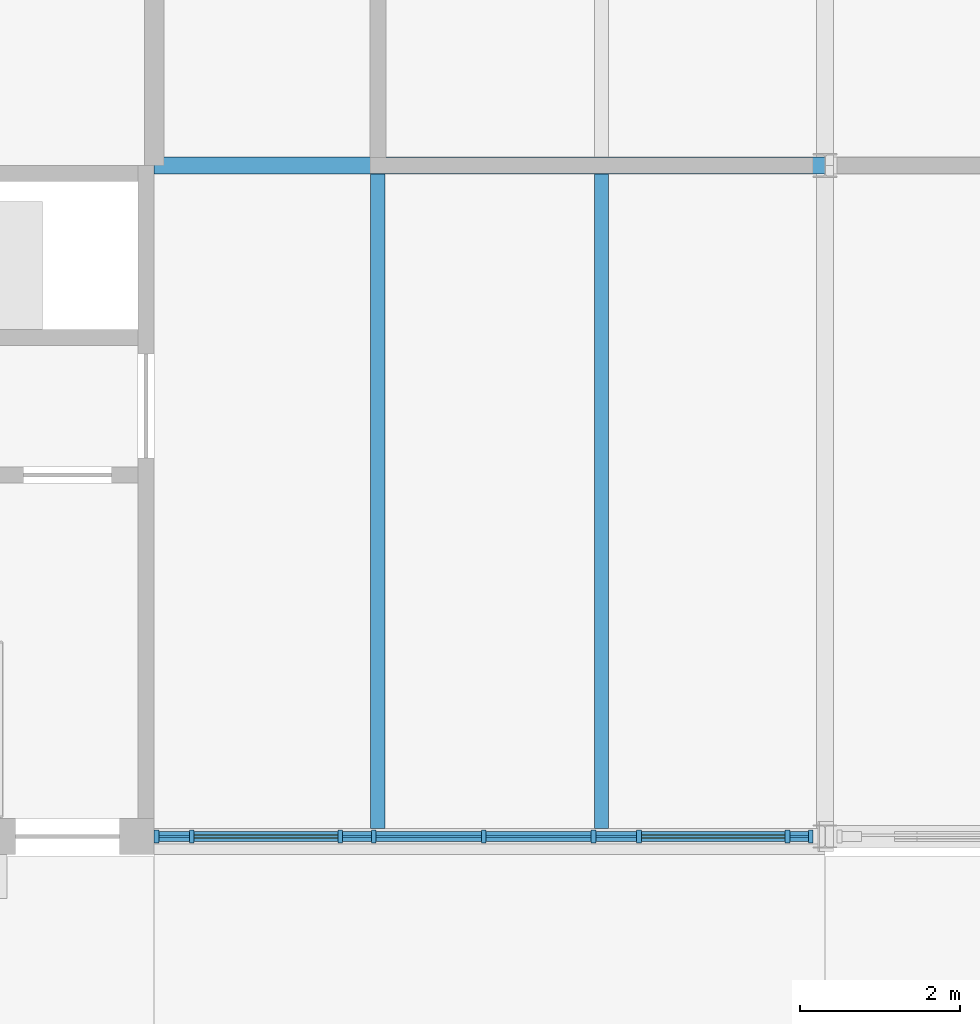
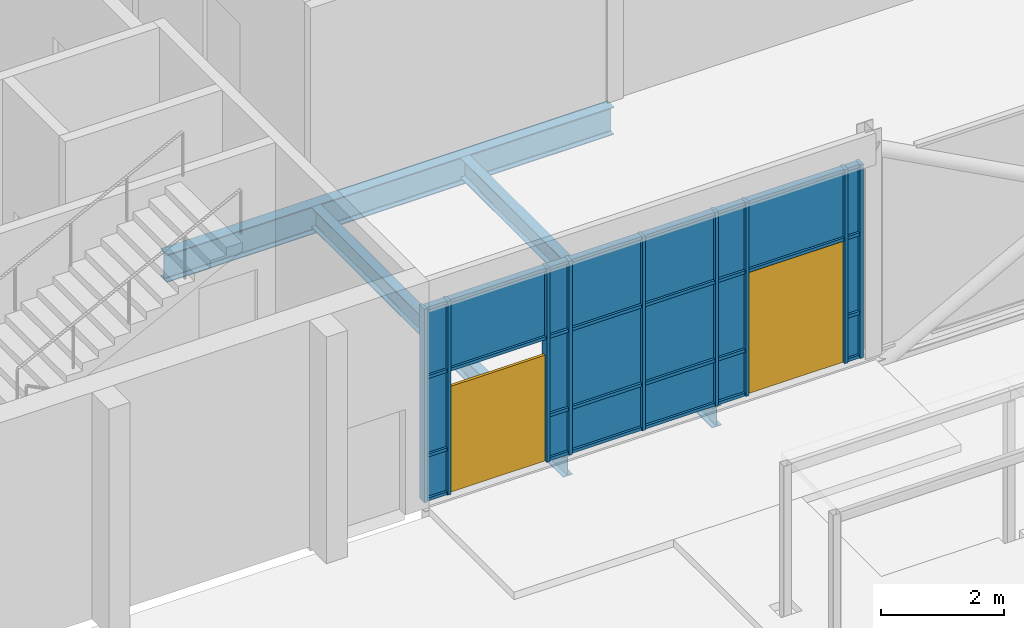
# One storey, part 22 of 116: 37 members, 20 plates, 3 beams, 2 doors, 2 openings, 1 element without a shape of its own.
"""IFC4 building model written with IfcOpenShell, lengths in metres."""

from ifc_helpers import new_model, si_unit, direction, frame, frame_2d, origin, origin_2d, place, context, subcontext, project, spatial, rectangle, i_section, extrude, material, layer, layer_set, material_profile, profile_set, type_object, element, fill, aggregate, save


model = new_model("IFC4")

# Units and contexts
model_context = context("Model", 3, precision=1e-05, world=origin(), true_north=direction((0.0, 1.0)))
body_context = subcontext(model_context, "Body", "Model", "MODEL_VIEW")
ifc_project = project(units=[si_unit("LENGTHUNIT", "METRE"), si_unit("AREAUNIT", "SQUARE_METRE"), si_unit("VOLUMEUNIT", "CUBIC_METRE"), si_unit("PLANEANGLEUNIT", "RADIAN"), si_unit("MASSUNIT", "GRAM", prefix="KILO")], contexts=[model_context])

# Site, building, storey
site_placement = place(None, origin())
site = spatial("IfcSite", under=ifc_project, at=site_placement, CompositionType="ELEMENT")
building_placement = place(site_placement, origin())
building = spatial("IfcBuilding", under=site, at=building_placement, Name="Ardhachandra Cancer Care Centre", CompositionType="ELEMENT")
storey_placement = place(building_placement, origin())
storey = spatial("IfcBuildingStorey", under=building, at=storey_placement, Name="L00", CompositionType="ELEMENT", Elevation=0.0)

# Beams
ifc_material_1 = material(Name="Steel E350 (IS 2062)", Category="steel")
ifc_material_profile_1 = material_profile(ifc_material_1, i_section(OverallWidth=0.179931640625, OverallDepth=0.39990234375, WebThickness=0.008544921875, FlangeThickness=0.013427734375, FilletRadius=0.02099609375, at=origin_2d()), Name="NPB 400x180x66.30")
ifc_profile_set_1 = profile_set([ifc_material_profile_1], Name="Steel E350 (IS 2062)")
beam_type_1 = type_object("IfcBeamType", Name="Beam NPB 400x180x66.30", PredefinedType="BEAM", material=ifc_profile_set_1)
for number, where, z_axis, x_axis, name in (
    (1, (22.0, 29.5, -0.35009765625), (0.0, 1.0, 0.0), (-1.0, 0.0, 0.0), "Secondary C2-D2@2800"),
    (2, (24.800048828125, 29.5, -0.35009765625), (0.0, 1.0, 0.0), (-1.0, 0.0, 0.0), "Secondary C2-D2@5600"),
):
    element("IfcBeam", number, at=place(storey_placement, frame(where, z_axis=z_axis, x_axis=x_axis)), inside=storey, type_object=beam_type_1, Name=name, PredefinedType="BEAM", context=body_context, shape_type="SweptSolid", body=[
        extrude(i_section(OverallWidth=0.179931640625, OverallDepth=0.39990234375, WebThickness=0.008544921875, FlangeThickness=0.013427734375, FilletRadius=0.02099609375, at=origin_2d()), origin(), (0.0, 0.0, 1.0), 8.195068359375),
    ])
ifc_material_2 = material(Name="Steel E350 (IS 2062)", Category="steel")
ifc_material_profile_2 = material_profile(ifc_material_2, i_section(OverallWidth=0.2099609375, OverallDepth=0.550048828125, WebThickness=0.010986328125, FlangeThickness=0.01708984375, FilletRadius=0.02392578125, at=origin_2d()), Name="NPB 550x210x105.52")
ifc_profile_set_2 = profile_set([ifc_material_profile_2], Name="Steel E350 (IS 2062)")
beam_type_2 = type_object("IfcBeamType", Name="Beam NPB 550x210x105.52", PredefinedType="BEAM", material=ifc_profile_set_2)
beam_placement = place(storey_placement, frame((19.199951171875, 37.800048828125, -0.425048828125), z_axis=(1.0, 0.0, 0.0), x_axis=(0.0, 1.0, 0.0)))
element("IfcBeam", 3, at=beam_placement, inside=storey, type_object=beam_type_2, Name="Girder D2-D3", PredefinedType="BEAM", context=body_context, shape_type="SweptSolid", body=[
    extrude(i_section(OverallWidth=0.2099609375, OverallDepth=0.550048828125, WebThickness=0.010986328125, FlangeThickness=0.01708984375, FilletRadius=0.02392578125, at=origin_2d()), origin(), (0.0, 0.0, 1.0), 8.400146484375),
])

# Curtain wall, openings, members, plates, doors
ifc_material_3 = material(Name="Aluminium extrusion", Category="aluminium")
ifc_layer_1 = layer(ifc_material_3, 0.14990234375)
ifc_layer_set_1 = layer_set([ifc_layer_1], Name="Aluminium extrusion")
curtain_wall_type = type_object("IfcCurtainWallType", Name="Curtain wall run", PredefinedType="NOTDEFINED", material=ifc_layer_set_1)
curtain_wall_placement = place(storey_placement, frame((19.199951171875, 29.39990234375, 0.0), z_axis=(0.0, 0.0, 1.0), x_axis=(1.0, 0.0, 0.0)))
curtain_wall = element("IfcCurtainWall", 4, at=curtain_wall_placement, inside=storey, type_object=curtain_wall_type, Name="Curtain wall L00 s/0019200_0029400", PredefinedType="NOTDEFINED")
opening_1_placement = place(curtain_wall_placement, frame((0.5, 0.0, 0.0)))
opening_1 = element("IfcOpeningElement", 5, at=opening_1_placement, cuts=curtain_wall, Name="Opening L00-X06", PredefinedType="OPENING", context=body_context, shape_type="SweptSolid", body=[
    extrude(rectangle(XDim=1.800048828125, YDim=2.10009765625, at=frame_2d((0.89990234375, 1.050048828125))), frame((0.0, 0.0849609375, 0.0), z_axis=(0.0, -1.0, 0.0), x_axis=(1.0, 0.0, 0.0)), (0.0, 0.0, 1.0), 0.169921875),
])
opening_2_placement = place(curtain_wall_placement, frame((6.10009765625, 0.0, 0.0)))
opening_2 = element("IfcOpeningElement", 6, at=opening_2_placement, cuts=curtain_wall, Name="Opening L00-X07", PredefinedType="OPENING", context=body_context, shape_type="SweptSolid", body=[
    extrude(rectangle(XDim=1.800048828125, YDim=2.39990234375, at=frame_2d((0.89990234375, 1.199951171875))), frame((0.0, 0.0849609375, 0.0), z_axis=(0.0, -1.0, 0.0), x_axis=(1.0, 0.0, 0.0)), (0.0, 0.0, 1.0), 0.169921875),
])
ifc_material_4 = material(Name="Aluminium extrusion", Category="aluminium")
ifc_material_profile_3 = material_profile(ifc_material_4, rectangle(XDim=0.159912109375, YDim=0.06005859375, at=origin_2d()), Name="Curtain wall mullion 60 x 160")
ifc_profile_set_3 = profile_set([ifc_material_profile_3], Name="Aluminium extrusion")
member_type_1 = type_object("IfcMemberType", Name="Curtain wall mullion 60 x 160", PredefinedType="MULLION", material=ifc_profile_set_3)
member_1_placement = place(storey_placement, frame((19.22998046875, 29.39990234375, 0.0), z_axis=(0.0, 0.0, 1.0), x_axis=(0.0, 1.0, 0.0)))
member_1 = element("IfcMember", 7, at=member_1_placement, type_object=member_type_1, Name="CW mullion 1", PredefinedType="MULLION", context=body_context, shape_type="SweptSolid", body=[
    extrude(rectangle(XDim=0.159912109375, YDim=0.06005859375, at=origin_2d()), origin(), (0.0, 0.0, 1.0), 3.85009765625),
])
member_2_placement = place(storey_placement, frame((19.669921875, 29.39990234375, 0.0), z_axis=(0.0, 0.0, 1.0), x_axis=(0.0, 1.0, 0.0)))
member_2 = element("IfcMember", 8, at=member_2_placement, type_object=member_type_1, Name="CW mullion 2", PredefinedType="MULLION", context=body_context, shape_type="SweptSolid", body=[
    extrude(rectangle(XDim=0.159912109375, YDim=0.06005859375, at=origin_2d()), origin(), (0.0, 0.0, 1.0), 3.85009765625),
])
member_3_placement = place(storey_placement, frame((21.530029296875, 29.39990234375, 0.0), z_axis=(0.0, 0.0, 1.0), x_axis=(0.0, 1.0, 0.0)))
member_3 = element("IfcMember", 9, at=member_3_placement, type_object=member_type_1, Name="CW mullion 3", PredefinedType="MULLION", context=body_context, shape_type="SweptSolid", body=[
    extrude(rectangle(XDim=0.159912109375, YDim=0.06005859375, at=origin_2d()), origin(), (0.0, 0.0, 1.0), 3.85009765625),
])
member_4_placement = place(storey_placement, frame((21.949951171875, 29.39990234375, 0.0), z_axis=(0.0, 0.0, 1.0), x_axis=(0.0, 1.0, 0.0)))
member_4 = element("IfcMember", 10, at=member_4_placement, type_object=member_type_1, Name="CW mullion 4", PredefinedType="MULLION", context=body_context, shape_type="SweptSolid", body=[
    extrude(rectangle(XDim=0.159912109375, YDim=0.06005859375, at=origin_2d()), origin(), (0.0, 0.0, 1.0), 3.85009765625),
])
member_5_placement = place(storey_placement, frame((23.324951171875, 29.39990234375, 0.0), z_axis=(0.0, 0.0, 1.0), x_axis=(0.0, 1.0, 0.0)))
member_5 = element("IfcMember", 11, at=member_5_placement, type_object=member_type_1, Name="CW mullion 5", PredefinedType="MULLION", context=body_context, shape_type="SweptSolid", body=[
    extrude(rectangle(XDim=0.159912109375, YDim=0.06005859375, at=origin_2d()), origin(), (0.0, 0.0, 1.0), 3.85009765625),
])
member_6_placement = place(storey_placement, frame((24.699951171875, 29.39990234375, 0.0), z_axis=(0.0, 0.0, 1.0), x_axis=(0.0, 1.0, 0.0)))
member_6 = element("IfcMember", 12, at=member_6_placement, type_object=member_type_1, Name="CW mullion 6", PredefinedType="MULLION", context=body_context, shape_type="SweptSolid", body=[
    extrude(rectangle(XDim=0.159912109375, YDim=0.06005859375, at=origin_2d()), origin(), (0.0, 0.0, 1.0), 3.85009765625),
])
member_7_placement = place(storey_placement, frame((25.27001953125, 29.39990234375, 0.0), z_axis=(0.0, 0.0, 1.0), x_axis=(0.0, 1.0, 0.0)))
member_7 = element("IfcMember", 13, at=member_7_placement, type_object=member_type_1, Name="CW mullion 7", PredefinedType="MULLION", context=body_context, shape_type="SweptSolid", body=[
    extrude(rectangle(XDim=0.159912109375, YDim=0.06005859375, at=origin_2d()), origin(), (0.0, 0.0, 1.0), 3.85009765625),
])
member_8_placement = place(storey_placement, frame((27.1298828125, 29.39990234375, 0.0), z_axis=(0.0, 0.0, 1.0), x_axis=(0.0, 1.0, 0.0)))
member_8 = element("IfcMember", 14, at=member_8_placement, type_object=member_type_1, Name="CW mullion 8", PredefinedType="MULLION", context=body_context, shape_type="SweptSolid", body=[
    extrude(rectangle(XDim=0.159912109375, YDim=0.06005859375, at=origin_2d()), origin(), (0.0, 0.0, 1.0), 3.85009765625),
])
member_9_placement = place(storey_placement, frame((27.419921875, 29.39990234375, 0.0), z_axis=(0.0, 0.0, 1.0), x_axis=(0.0, 1.0, 0.0)))
member_9 = element("IfcMember", 15, at=member_9_placement, type_object=member_type_1, Name="CW mullion 9", PredefinedType="MULLION", context=body_context, shape_type="SweptSolid", body=[
    extrude(rectangle(XDim=0.159912109375, YDim=0.06005859375, at=origin_2d()), origin(), (0.0, 0.0, 1.0), 3.85009765625),
])
ifc_material_5 = material(Name="Aluminium extrusion", Category="aluminium")
ifc_material_profile_4 = material_profile(ifc_material_5, rectangle(XDim=0.1201171875, YDim=0.06005859375, at=origin_2d()), Name="Curtain wall transom 60 x 120")
ifc_profile_set_4 = profile_set([ifc_material_profile_4], Name="Aluminium extrusion")
member_type_2 = type_object("IfcMemberType", Name="Curtain wall transom 60 x 120", PredefinedType="USERDEFINED", material=ifc_profile_set_4)
member_10_placement = place(storey_placement, frame((19.260009765625, 29.39990234375, 0.030029296875), z_axis=(1.0, 0.0, 0.0), x_axis=(0.0, 1.0, 0.0)))
member_10 = element("IfcMember", 16, at=member_10_placement, type_object=member_type_2, Name="CW transom 1.1", ObjectType="TRANSOM", PredefinedType="USERDEFINED", context=body_context, shape_type="SweptSolid", body=[
    extrude(rectangle(XDim=0.1201171875, YDim=0.06005859375, at=origin_2d()), origin(), (0.0, 0.0, 1.0), 0.3798828125),
])
member_11_placement = place(storey_placement, frame((19.260009765625, 29.39990234375, 0.89990234375), z_axis=(1.0, 0.0, 0.0), x_axis=(0.0, 1.0, 0.0)))
member_11 = element("IfcMember", 17, at=member_11_placement, type_object=member_type_2, Name="CW transom 1.2", ObjectType="TRANSOM", PredefinedType="USERDEFINED", context=body_context, shape_type="SweptSolid", body=[
    extrude(rectangle(XDim=0.1201171875, YDim=0.06005859375, at=origin_2d()), origin(), (0.0, 0.0, 1.0), 0.3798828125),
])
member_12_placement = place(storey_placement, frame((19.260009765625, 29.39990234375, 2.4599609375), z_axis=(1.0, 0.0, 0.0), x_axis=(0.0, 1.0, 0.0)))
member_12 = element("IfcMember", 18, at=member_12_placement, type_object=member_type_2, Name="CW transom 1.3", ObjectType="TRANSOM", PredefinedType="USERDEFINED", context=body_context, shape_type="SweptSolid", body=[
    extrude(rectangle(XDim=0.1201171875, YDim=0.06005859375, at=origin_2d()), origin(), (0.0, 0.0, 1.0), 0.3798828125),
])
member_13_placement = place(storey_placement, frame((19.260009765625, 29.39990234375, 3.820068359375), z_axis=(1.0, 0.0, 0.0), x_axis=(0.0, 1.0, 0.0)))
member_13 = element("IfcMember", 19, at=member_13_placement, type_object=member_type_2, Name="CW transom 1.4", ObjectType="TRANSOM", PredefinedType="USERDEFINED", context=body_context, shape_type="SweptSolid", body=[
    extrude(rectangle(XDim=0.1201171875, YDim=0.06005859375, at=origin_2d()), origin(), (0.0, 0.0, 1.0), 0.3798828125),
])
member_14_placement = place(storey_placement, frame((19.699951171875, 29.39990234375, 2.4599609375), z_axis=(1.0, 0.0, 0.0), x_axis=(0.0, 1.0, 0.0)))
member_14 = element("IfcMember", 20, at=member_14_placement, type_object=member_type_2, Name="CW transom 2.1", ObjectType="TRANSOM", PredefinedType="USERDEFINED", context=body_context, shape_type="SweptSolid", body=[
    extrude(rectangle(XDim=0.1201171875, YDim=0.06005859375, at=origin_2d()), origin(), (0.0, 0.0, 1.0), 1.800048828125),
])
member_15_placement = place(storey_placement, frame((19.699951171875, 29.39990234375, 3.820068359375), z_axis=(1.0, 0.0, 0.0), x_axis=(0.0, 1.0, 0.0)))
member_15 = element("IfcMember", 21, at=member_15_placement, type_object=member_type_2, Name="CW transom 2.2", ObjectType="TRANSOM", PredefinedType="USERDEFINED", context=body_context, shape_type="SweptSolid", body=[
    extrude(rectangle(XDim=0.1201171875, YDim=0.06005859375, at=origin_2d()), origin(), (0.0, 0.0, 1.0), 1.800048828125),
])
member_16_placement = place(storey_placement, frame((21.56005859375, 29.39990234375, 0.030029296875), z_axis=(1.0, 0.0, 0.0), x_axis=(0.0, 1.0, 0.0)))
member_16 = element("IfcMember", 22, at=member_16_placement, type_object=member_type_2, Name="CW transom 3.1", ObjectType="TRANSOM", PredefinedType="USERDEFINED", context=body_context, shape_type="SweptSolid", body=[
    extrude(rectangle(XDim=0.1201171875, YDim=0.06005859375, at=origin_2d()), origin(), (0.0, 0.0, 1.0), 0.35986328125),
])
member_17_placement = place(storey_placement, frame((21.56005859375, 29.39990234375, 0.89990234375), z_axis=(1.0, 0.0, 0.0), x_axis=(0.0, 1.0, 0.0)))
member_17 = element("IfcMember", 23, at=member_17_placement, type_object=member_type_2, Name="CW transom 3.2", ObjectType="TRANSOM", PredefinedType="USERDEFINED", context=body_context, shape_type="SweptSolid", body=[
    extrude(rectangle(XDim=0.1201171875, YDim=0.06005859375, at=origin_2d()), origin(), (0.0, 0.0, 1.0), 0.35986328125),
])
member_18_placement = place(storey_placement, frame((21.56005859375, 29.39990234375, 2.4599609375), z_axis=(1.0, 0.0, 0.0), x_axis=(0.0, 1.0, 0.0)))
member_18 = element("IfcMember", 24, at=member_18_placement, type_object=member_type_2, Name="CW transom 3.3", ObjectType="TRANSOM", PredefinedType="USERDEFINED", context=body_context, shape_type="SweptSolid", body=[
    extrude(rectangle(XDim=0.1201171875, YDim=0.06005859375, at=origin_2d()), origin(), (0.0, 0.0, 1.0), 0.35986328125),
])
member_19_placement = place(storey_placement, frame((21.56005859375, 29.39990234375, 3.820068359375), z_axis=(1.0, 0.0, 0.0), x_axis=(0.0, 1.0, 0.0)))
member_19 = element("IfcMember", 25, at=member_19_placement, type_object=member_type_2, Name="CW transom 3.4", ObjectType="TRANSOM", PredefinedType="USERDEFINED", context=body_context, shape_type="SweptSolid", body=[
    extrude(rectangle(XDim=0.1201171875, YDim=0.06005859375, at=origin_2d()), origin(), (0.0, 0.0, 1.0), 0.35986328125),
])
member_20_placement = place(storey_placement, frame((21.97998046875, 29.39990234375, 0.030029296875), z_axis=(1.0, 0.0, 0.0), x_axis=(0.0, 1.0, 0.0)))
member_20 = element("IfcMember", 26, at=member_20_placement, type_object=member_type_2, Name="CW transom 4.1", ObjectType="TRANSOM", PredefinedType="USERDEFINED", context=body_context, shape_type="SweptSolid", body=[
    extrude(rectangle(XDim=0.1201171875, YDim=0.06005859375, at=origin_2d()), origin(), (0.0, 0.0, 1.0), 1.31494140625),
])
member_21_placement = place(storey_placement, frame((21.97998046875, 29.39990234375, 0.89990234375), z_axis=(1.0, 0.0, 0.0), x_axis=(0.0, 1.0, 0.0)))
member_21 = element("IfcMember", 27, at=member_21_placement, type_object=member_type_2, Name="CW transom 4.2", ObjectType="TRANSOM", PredefinedType="USERDEFINED", context=body_context, shape_type="SweptSolid", body=[
    extrude(rectangle(XDim=0.1201171875, YDim=0.06005859375, at=origin_2d()), origin(), (0.0, 0.0, 1.0), 1.31494140625),
])
member_22_placement = place(storey_placement, frame((21.97998046875, 29.39990234375, 2.4599609375), z_axis=(1.0, 0.0, 0.0), x_axis=(0.0, 1.0, 0.0)))
member_22 = element("IfcMember", 28, at=member_22_placement, type_object=member_type_2, Name="CW transom 4.3", ObjectType="TRANSOM", PredefinedType="USERDEFINED", context=body_context, shape_type="SweptSolid", body=[
    extrude(rectangle(XDim=0.1201171875, YDim=0.06005859375, at=origin_2d()), origin(), (0.0, 0.0, 1.0), 1.31494140625),
])
member_23_placement = place(storey_placement, frame((21.97998046875, 29.39990234375, 3.820068359375), z_axis=(1.0, 0.0, 0.0), x_axis=(0.0, 1.0, 0.0)))
member_23 = element("IfcMember", 29, at=member_23_placement, type_object=member_type_2, Name="CW transom 4.4", ObjectType="TRANSOM", PredefinedType="USERDEFINED", context=body_context, shape_type="SweptSolid", body=[
    extrude(rectangle(XDim=0.1201171875, YDim=0.06005859375, at=origin_2d()), origin(), (0.0, 0.0, 1.0), 1.31494140625),
])
member_24_placement = place(storey_placement, frame((23.35498046875, 29.39990234375, 0.030029296875), z_axis=(1.0, 0.0, 0.0), x_axis=(0.0, 1.0, 0.0)))
member_24 = element("IfcMember", 30, at=member_24_placement, type_object=member_type_2, Name="CW transom 5.1", ObjectType="TRANSOM", PredefinedType="USERDEFINED", context=body_context, shape_type="SweptSolid", body=[
    extrude(rectangle(XDim=0.1201171875, YDim=0.06005859375, at=origin_2d()), origin(), (0.0, 0.0, 1.0), 1.31494140625),
])
member_25_placement = place(storey_placement, frame((23.35498046875, 29.39990234375, 0.89990234375), z_axis=(1.0, 0.0, 0.0), x_axis=(0.0, 1.0, 0.0)))
member_25 = element("IfcMember", 31, at=member_25_placement, type_object=member_type_2, Name="CW transom 5.2", ObjectType="TRANSOM", PredefinedType="USERDEFINED", context=body_context, shape_type="SweptSolid", body=[
    extrude(rectangle(XDim=0.1201171875, YDim=0.06005859375, at=origin_2d()), origin(), (0.0, 0.0, 1.0), 1.31494140625),
])
member_26_placement = place(storey_placement, frame((23.35498046875, 29.39990234375, 2.4599609375), z_axis=(1.0, 0.0, 0.0), x_axis=(0.0, 1.0, 0.0)))
member_26 = element("IfcMember", 32, at=member_26_placement, type_object=member_type_2, Name="CW transom 5.3", ObjectType="TRANSOM", PredefinedType="USERDEFINED", context=body_context, shape_type="SweptSolid", body=[
    extrude(rectangle(XDim=0.1201171875, YDim=0.06005859375, at=origin_2d()), origin(), (0.0, 0.0, 1.0), 1.31494140625),
])
member_27_placement = place(storey_placement, frame((23.35498046875, 29.39990234375, 3.820068359375), z_axis=(1.0, 0.0, 0.0), x_axis=(0.0, 1.0, 0.0)))
member_27 = element("IfcMember", 33, at=member_27_placement, type_object=member_type_2, Name="CW transom 5.4", ObjectType="TRANSOM", PredefinedType="USERDEFINED", context=body_context, shape_type="SweptSolid", body=[
    extrude(rectangle(XDim=0.1201171875, YDim=0.06005859375, at=origin_2d()), origin(), (0.0, 0.0, 1.0), 1.31494140625),
])
member_28_placement = place(storey_placement, frame((24.72998046875, 29.39990234375, 0.030029296875), z_axis=(1.0, 0.0, 0.0), x_axis=(0.0, 1.0, 0.0)))
member_28 = element("IfcMember", 34, at=member_28_placement, type_object=member_type_2, Name="CW transom 6.1", ObjectType="TRANSOM", PredefinedType="USERDEFINED", context=body_context, shape_type="SweptSolid", body=[
    extrude(rectangle(XDim=0.1201171875, YDim=0.06005859375, at=origin_2d()), origin(), (0.0, 0.0, 1.0), 0.510009765625),
])
member_29_placement = place(storey_placement, frame((24.72998046875, 29.39990234375, 0.89990234375), z_axis=(1.0, 0.0, 0.0), x_axis=(0.0, 1.0, 0.0)))
member_29 = element("IfcMember", 35, at=member_29_placement, type_object=member_type_2, Name="CW transom 6.2", ObjectType="TRANSOM", PredefinedType="USERDEFINED", context=body_context, shape_type="SweptSolid", body=[
    extrude(rectangle(XDim=0.1201171875, YDim=0.06005859375, at=origin_2d()), origin(), (0.0, 0.0, 1.0), 0.510009765625),
])
member_30_placement = place(storey_placement, frame((24.72998046875, 29.39990234375, 2.4599609375), z_axis=(1.0, 0.0, 0.0), x_axis=(0.0, 1.0, 0.0)))
member_30 = element("IfcMember", 36, at=member_30_placement, type_object=member_type_2, Name="CW transom 6.3", ObjectType="TRANSOM", PredefinedType="USERDEFINED", context=body_context, shape_type="SweptSolid", body=[
    extrude(rectangle(XDim=0.1201171875, YDim=0.06005859375, at=origin_2d()), origin(), (0.0, 0.0, 1.0), 0.510009765625),
])
member_31_placement = place(storey_placement, frame((24.72998046875, 29.39990234375, 3.820068359375), z_axis=(1.0, 0.0, 0.0), x_axis=(0.0, 1.0, 0.0)))
member_31 = element("IfcMember", 37, at=member_31_placement, type_object=member_type_2, Name="CW transom 6.4", ObjectType="TRANSOM", PredefinedType="USERDEFINED", context=body_context, shape_type="SweptSolid", body=[
    extrude(rectangle(XDim=0.1201171875, YDim=0.06005859375, at=origin_2d()), origin(), (0.0, 0.0, 1.0), 0.510009765625),
])
member_32_placement = place(storey_placement, frame((25.300048828125, 29.39990234375, 2.4599609375), z_axis=(1.0, 0.0, 0.0), x_axis=(0.0, 1.0, 0.0)))
member_32 = element("IfcMember", 38, at=member_32_placement, type_object=member_type_2, Name="CW transom 7.1", ObjectType="TRANSOM", PredefinedType="USERDEFINED", context=body_context, shape_type="SweptSolid", body=[
    extrude(rectangle(XDim=0.1201171875, YDim=0.06005859375, at=origin_2d()), origin(), (0.0, 0.0, 1.0), 1.800048828125),
])
member_33_placement = place(storey_placement, frame((25.300048828125, 29.39990234375, 3.820068359375), z_axis=(1.0, 0.0, 0.0), x_axis=(0.0, 1.0, 0.0)))
member_33 = element("IfcMember", 39, at=member_33_placement, type_object=member_type_2, Name="CW transom 7.2", ObjectType="TRANSOM", PredefinedType="USERDEFINED", context=body_context, shape_type="SweptSolid", body=[
    extrude(rectangle(XDim=0.1201171875, YDim=0.06005859375, at=origin_2d()), origin(), (0.0, 0.0, 1.0), 1.800048828125),
])
member_34_placement = place(storey_placement, frame((27.159912109375, 29.39990234375, 0.030029296875), z_axis=(1.0, 0.0, 0.0), x_axis=(0.0, 1.0, 0.0)))
member_34 = element("IfcMember", 40, at=member_34_placement, type_object=member_type_2, Name="CW transom 8.1", ObjectType="TRANSOM", PredefinedType="USERDEFINED", context=body_context, shape_type="SweptSolid", body=[
    extrude(rectangle(XDim=0.1201171875, YDim=0.06005859375, at=origin_2d()), origin(), (0.0, 0.0, 1.0), 0.22998046875),
])
member_35_placement = place(storey_placement, frame((27.159912109375, 29.39990234375, 0.89990234375), z_axis=(1.0, 0.0, 0.0), x_axis=(0.0, 1.0, 0.0)))
member_35 = element("IfcMember", 41, at=member_35_placement, type_object=member_type_2, Name="CW transom 8.2", ObjectType="TRANSOM", PredefinedType="USERDEFINED", context=body_context, shape_type="SweptSolid", body=[
    extrude(rectangle(XDim=0.1201171875, YDim=0.06005859375, at=origin_2d()), origin(), (0.0, 0.0, 1.0), 0.22998046875),
])
member_36_placement = place(storey_placement, frame((27.159912109375, 29.39990234375, 2.4599609375), z_axis=(1.0, 0.0, 0.0), x_axis=(0.0, 1.0, 0.0)))
member_36 = element("IfcMember", 42, at=member_36_placement, type_object=member_type_2, Name="CW transom 8.3", ObjectType="TRANSOM", PredefinedType="USERDEFINED", context=body_context, shape_type="SweptSolid", body=[
    extrude(rectangle(XDim=0.1201171875, YDim=0.06005859375, at=origin_2d()), origin(), (0.0, 0.0, 1.0), 0.22998046875),
])
member_37_placement = place(storey_placement, frame((27.159912109375, 29.39990234375, 3.820068359375), z_axis=(1.0, 0.0, 0.0), x_axis=(0.0, 1.0, 0.0)))
member_37 = element("IfcMember", 43, at=member_37_placement, type_object=member_type_2, Name="CW transom 8.4", ObjectType="TRANSOM", PredefinedType="USERDEFINED", context=body_context, shape_type="SweptSolid", body=[
    extrude(rectangle(XDim=0.1201171875, YDim=0.06005859375, at=origin_2d()), origin(), (0.0, 0.0, 1.0), 0.22998046875),
])
ifc_material_6 = material(Name="Low-iron double-glazed unit")
ifc_layer_2 = layer(ifc_material_6, 0.028076171875)
ifc_layer_set_2 = layer_set([ifc_layer_2], Name="Low-iron double-glazed unit")
plate_type_1 = type_object("IfcPlateType", Name="Curtain wall glazing 28", PredefinedType="CURTAIN_PANEL", material=ifc_layer_set_2)
plate_1_placement = place(storey_placement, frame((19.449951171875, 29.39990234375, 0.929931640625), z_axis=(0.0, 0.0, 1.0), x_axis=(1.0, 0.0, 0.0)))
plate_1 = element("IfcPlate", 44, at=plate_1_placement, type_object=plate_type_1, Name="CW panel 1.2", PredefinedType="CURTAIN_PANEL", context=body_context, shape_type="SweptSolid", body=[
    extrude(rectangle(XDim=0.3798828125, YDim=0.028076171875, at=origin_2d()), origin(), (0.0, 0.0, 1.0), 1.5),
])
plate_2_placement = place(storey_placement, frame((19.449951171875, 29.39990234375, 2.48974609375), z_axis=(0.0, 0.0, 1.0), x_axis=(1.0, 0.0, 0.0)))
plate_2 = element("IfcPlate", 45, at=plate_2_placement, type_object=plate_type_1, Name="CW panel 1.3", PredefinedType="CURTAIN_PANEL", context=body_context, shape_type="SweptSolid", body=[
    extrude(rectangle(XDim=0.3798828125, YDim=0.028076171875, at=origin_2d()), origin(), (0.0, 0.0, 1.0), 1.300048828125),
])
plate_3_placement = place(storey_placement, frame((20.60009765625, 29.39990234375, 2.48974609375), z_axis=(0.0, 0.0, 1.0), x_axis=(1.0, 0.0, 0.0)))
plate_3 = element("IfcPlate", 46, at=plate_3_placement, type_object=plate_type_1, Name="CW panel 2.1", PredefinedType="CURTAIN_PANEL", context=body_context, shape_type="SweptSolid", body=[
    extrude(rectangle(XDim=1.800048828125, YDim=0.028076171875, at=origin_2d()), origin(), (0.0, 0.0, 1.0), 1.300048828125),
])
plate_4_placement = place(storey_placement, frame((21.739990234375, 29.39990234375, 0.929931640625), z_axis=(0.0, 0.0, 1.0), x_axis=(1.0, 0.0, 0.0)))
plate_4 = element("IfcPlate", 47, at=plate_4_placement, type_object=plate_type_1, Name="CW panel 3.2", PredefinedType="CURTAIN_PANEL", context=body_context, shape_type="SweptSolid", body=[
    extrude(rectangle(XDim=0.360107421875, YDim=0.028076171875, at=origin_2d()), origin(), (0.0, 0.0, 1.0), 1.5),
])
plate_5_placement = place(storey_placement, frame((21.739990234375, 29.39990234375, 2.48974609375), z_axis=(0.0, 0.0, 1.0), x_axis=(1.0, 0.0, 0.0)))
plate_5 = element("IfcPlate", 48, at=plate_5_placement, type_object=plate_type_1, Name="CW panel 3.3", PredefinedType="CURTAIN_PANEL", context=body_context, shape_type="SweptSolid", body=[
    extrude(rectangle(XDim=0.360107421875, YDim=0.028076171875, at=origin_2d()), origin(), (0.0, 0.0, 1.0), 1.300048828125),
])
plate_6_placement = place(storey_placement, frame((22.637451171875, 29.39990234375, 0.929931640625), z_axis=(0.0, 0.0, 1.0), x_axis=(1.0, 0.0, 0.0)))
plate_6 = element("IfcPlate", 49, at=plate_6_placement, type_object=plate_type_1, Name="CW panel 4.2", PredefinedType="CURTAIN_PANEL", context=body_context, shape_type="SweptSolid", body=[
    extrude(rectangle(XDim=1.31494140625, YDim=0.028076171875, at=origin_2d()), origin(), (0.0, 0.0, 1.0), 1.5),
])
plate_7_placement = place(storey_placement, frame((22.637451171875, 29.39990234375, 2.48974609375), z_axis=(0.0, 0.0, 1.0), x_axis=(1.0, 0.0, 0.0)))
plate_7 = element("IfcPlate", 50, at=plate_7_placement, type_object=plate_type_1, Name="CW panel 4.3", PredefinedType="CURTAIN_PANEL", context=body_context, shape_type="SweptSolid", body=[
    extrude(rectangle(XDim=1.31494140625, YDim=0.028076171875, at=origin_2d()), origin(), (0.0, 0.0, 1.0), 1.300048828125),
])
plate_8_placement = place(storey_placement, frame((24.012451171875, 29.39990234375, 0.929931640625), z_axis=(0.0, 0.0, 1.0), x_axis=(1.0, 0.0, 0.0)))
plate_8 = element("IfcPlate", 51, at=plate_8_placement, type_object=plate_type_1, Name="CW panel 5.2", PredefinedType="CURTAIN_PANEL", context=body_context, shape_type="SweptSolid", body=[
    extrude(rectangle(XDim=1.31494140625, YDim=0.028076171875, at=origin_2d()), origin(), (0.0, 0.0, 1.0), 1.5),
])
plate_9_placement = place(storey_placement, frame((24.012451171875, 29.39990234375, 2.48974609375), z_axis=(0.0, 0.0, 1.0), x_axis=(1.0, 0.0, 0.0)))
plate_9 = element("IfcPlate", 52, at=plate_9_placement, type_object=plate_type_1, Name="CW panel 5.3", PredefinedType="CURTAIN_PANEL", context=body_context, shape_type="SweptSolid", body=[
    extrude(rectangle(XDim=1.31494140625, YDim=0.028076171875, at=origin_2d()), origin(), (0.0, 0.0, 1.0), 1.300048828125),
])
plate_10_placement = place(storey_placement, frame((24.985107421875, 29.39990234375, 0.929931640625), z_axis=(0.0, 0.0, 1.0), x_axis=(1.0, 0.0, 0.0)))
plate_10 = element("IfcPlate", 53, at=plate_10_placement, type_object=plate_type_1, Name="CW panel 6.2", PredefinedType="CURTAIN_PANEL", context=body_context, shape_type="SweptSolid", body=[
    extrude(rectangle(XDim=0.510009765625, YDim=0.028076171875, at=origin_2d()), origin(), (0.0, 0.0, 1.0), 1.5),
])
plate_11_placement = place(storey_placement, frame((24.985107421875, 29.39990234375, 2.48974609375), z_axis=(0.0, 0.0, 1.0), x_axis=(1.0, 0.0, 0.0)))
plate_11 = element("IfcPlate", 54, at=plate_11_placement, type_object=plate_type_1, Name="CW panel 6.3", PredefinedType="CURTAIN_PANEL", context=body_context, shape_type="SweptSolid", body=[
    extrude(rectangle(XDim=0.510009765625, YDim=0.028076171875, at=origin_2d()), origin(), (0.0, 0.0, 1.0), 1.300048828125),
])
plate_12_placement = place(storey_placement, frame((26.199951171875, 29.39990234375, 2.48974609375), z_axis=(0.0, 0.0, 1.0), x_axis=(1.0, 0.0, 0.0)))
plate_12 = element("IfcPlate", 55, at=plate_12_placement, type_object=plate_type_1, Name="CW panel 7.1", PredefinedType="CURTAIN_PANEL", context=body_context, shape_type="SweptSolid", body=[
    extrude(rectangle(XDim=1.800048828125, YDim=0.028076171875, at=origin_2d()), origin(), (0.0, 0.0, 1.0), 1.300048828125),
])
plate_13_placement = place(storey_placement, frame((27.27490234375, 29.39990234375, 0.929931640625), z_axis=(0.0, 0.0, 1.0), x_axis=(1.0, 0.0, 0.0)))
plate_13 = element("IfcPlate", 56, at=plate_13_placement, type_object=plate_type_1, Name="CW panel 8.2", PredefinedType="CURTAIN_PANEL", context=body_context, shape_type="SweptSolid", body=[
    extrude(rectangle(XDim=0.22998046875, YDim=0.028076171875, at=origin_2d()), origin(), (0.0, 0.0, 1.0), 1.5),
])
plate_14_placement = place(storey_placement, frame((27.27490234375, 29.39990234375, 2.48974609375), z_axis=(0.0, 0.0, 1.0), x_axis=(1.0, 0.0, 0.0)))
plate_14 = element("IfcPlate", 57, at=plate_14_placement, type_object=plate_type_1, Name="CW panel 8.3", PredefinedType="CURTAIN_PANEL", context=body_context, shape_type="SweptSolid", body=[
    extrude(rectangle(XDim=0.22998046875, YDim=0.028076171875, at=origin_2d()), origin(), (0.0, 0.0, 1.0), 1.300048828125),
])
ifc_material_7 = material(Name="Aluminium composite spandrel panel", Category="aluminium")
ifc_layer_3 = layer(ifc_material_7, 0.028076171875)
ifc_layer_set_3 = layer_set([ifc_layer_3], Name="Aluminium composite spandrel panel")
plate_type_2 = type_object("IfcPlateType", Name="Curtain wall spandrel panel 28", PredefinedType="CURTAIN_PANEL", material=ifc_layer_set_3)
plate_15_placement = place(storey_placement, frame((19.449951171875, 29.39990234375, 0.06005859375), z_axis=(0.0, 0.0, 1.0), x_axis=(1.0, 0.0, 0.0)))
plate_15 = element("IfcPlate", 58, at=plate_15_placement, type_object=plate_type_2, Name="CW panel 1.1", PredefinedType="CURTAIN_PANEL", context=body_context, shape_type="SweptSolid", body=[
    extrude(rectangle(XDim=0.3798828125, YDim=0.028076171875, at=origin_2d()), origin(), (0.0, 0.0, 1.0), 0.81005859375),
])
plate_16_placement = place(storey_placement, frame((21.739990234375, 29.39990234375, 0.06005859375), z_axis=(0.0, 0.0, 1.0), x_axis=(1.0, 0.0, 0.0)))
plate_16 = element("IfcPlate", 59, at=plate_16_placement, type_object=plate_type_2, Name="CW panel 3.1", PredefinedType="CURTAIN_PANEL", context=body_context, shape_type="SweptSolid", body=[
    extrude(rectangle(XDim=0.360107421875, YDim=0.028076171875, at=origin_2d()), origin(), (0.0, 0.0, 1.0), 0.81005859375),
])
plate_17_placement = place(storey_placement, frame((22.637451171875, 29.39990234375, 0.06005859375), z_axis=(0.0, 0.0, 1.0), x_axis=(1.0, 0.0, 0.0)))
plate_17 = element("IfcPlate", 60, at=plate_17_placement, type_object=plate_type_2, Name="CW panel 4.1", PredefinedType="CURTAIN_PANEL", context=body_context, shape_type="SweptSolid", body=[
    extrude(rectangle(XDim=1.31494140625, YDim=0.028076171875, at=origin_2d()), origin(), (0.0, 0.0, 1.0), 0.81005859375),
])
plate_18_placement = place(storey_placement, frame((24.012451171875, 29.39990234375, 0.06005859375), z_axis=(0.0, 0.0, 1.0), x_axis=(1.0, 0.0, 0.0)))
plate_18 = element("IfcPlate", 61, at=plate_18_placement, type_object=plate_type_2, Name="CW panel 5.1", PredefinedType="CURTAIN_PANEL", context=body_context, shape_type="SweptSolid", body=[
    extrude(rectangle(XDim=1.31494140625, YDim=0.028076171875, at=origin_2d()), origin(), (0.0, 0.0, 1.0), 0.81005859375),
])
plate_19_placement = place(storey_placement, frame((24.985107421875, 29.39990234375, 0.06005859375), z_axis=(0.0, 0.0, 1.0), x_axis=(1.0, 0.0, 0.0)))
plate_19 = element("IfcPlate", 62, at=plate_19_placement, type_object=plate_type_2, Name="CW panel 6.1", PredefinedType="CURTAIN_PANEL", context=body_context, shape_type="SweptSolid", body=[
    extrude(rectangle(XDim=0.510009765625, YDim=0.028076171875, at=origin_2d()), origin(), (0.0, 0.0, 1.0), 0.81005859375),
])
plate_20_placement = place(storey_placement, frame((27.27490234375, 29.39990234375, 0.06005859375), z_axis=(0.0, 0.0, 1.0), x_axis=(1.0, 0.0, 0.0)))
plate_20 = element("IfcPlate", 63, at=plate_20_placement, type_object=plate_type_2, Name="CW panel 8.1", PredefinedType="CURTAIN_PANEL", context=body_context, shape_type="SweptSolid", body=[
    extrude(rectangle(XDim=0.22998046875, YDim=0.028076171875, at=origin_2d()), origin(), (0.0, 0.0, 1.0), 0.81005859375),
])
aggregate(curtain_wall, [member_1, member_2, member_3, member_4, member_5, member_6, member_7, member_8, member_9, member_10, member_11, member_12, member_13, plate_15, plate_1, plate_2, member_14, member_15, plate_3, member_16, member_17, member_18, member_19, plate_16, plate_4, plate_5, member_20, member_21, member_22, member_23, plate_17, plate_6, plate_7, member_24, member_25, member_26, member_27, plate_18, plate_8, plate_9, member_28, member_29, member_30, member_31, plate_19, plate_10, plate_11, member_32, member_33, plate_12, member_34, member_35, member_36, member_37, plate_20, plate_13, plate_14])
ifc_material_8 = material(Name="Aluminium frame with toughened glass", Category="aluminium")
door_type_1 = type_object("IfcDoorType", Name="Entrance door pair 1800 x 2400", OperationType="SLIDING_TO_LEFT", PredefinedType="DOOR", material=ifc_material_8)
door_1_placement = place(opening_2_placement, origin())
door_1 = element("IfcDoor", 64, at=door_1_placement, inside=storey, type_object=door_type_1, Name="Imaging Entrance L00-X07", OperationType="SINGLE_SWING_LEFT", OverallHeight=2.39990234375, OverallWidth=1.800048828125, PredefinedType="DOOR", context=body_context, shape_type="SweptSolid", body=[
    extrude(rectangle(XDim=1.800048828125, YDim=2.39990234375, at=frame_2d((0.89990234375, 1.199951171875))), frame((0.0, 0.02490234375, 0.0), z_axis=(0.0, -1.0, 0.0), x_axis=(1.0, 0.0, 0.0)), (0.0, 0.0, 1.0), 0.050048828125),
])
fill(opening_2, door_1)
ifc_material_9 = material(Name="Hollow steel door set with fire-rated infill", Category="steel")
door_type_2 = type_object("IfcDoorType", Name="Exit door pair 1800 x 2100", OperationType="DOUBLE_DOOR_SINGLE_SWING", PredefinedType="DOOR", material=ifc_material_9)
door_2_placement = place(opening_1_placement, origin())
door_2 = element("IfcDoor", 65, at=door_2_placement, inside=storey, type_object=door_type_2, Name="Imaging Corridor South Exit Door L00-X06", OperationType="SINGLE_SWING_LEFT", OverallHeight=2.10009765625, OverallWidth=1.800048828125, PredefinedType="DOOR", context=body_context, shape_type="SweptSolid", body=[
    extrude(rectangle(XDim=1.800048828125, YDim=2.10009765625, at=frame_2d((0.89990234375, 1.050048828125))), frame((0.0, 0.02490234375, 0.0), z_axis=(0.0, -1.0, 0.0), x_axis=(1.0, 0.0, 0.0)), (0.0, 0.0, 1.0), 0.050048828125),
])
fill(opening_1, door_2)

save(model, "model.ifc")
